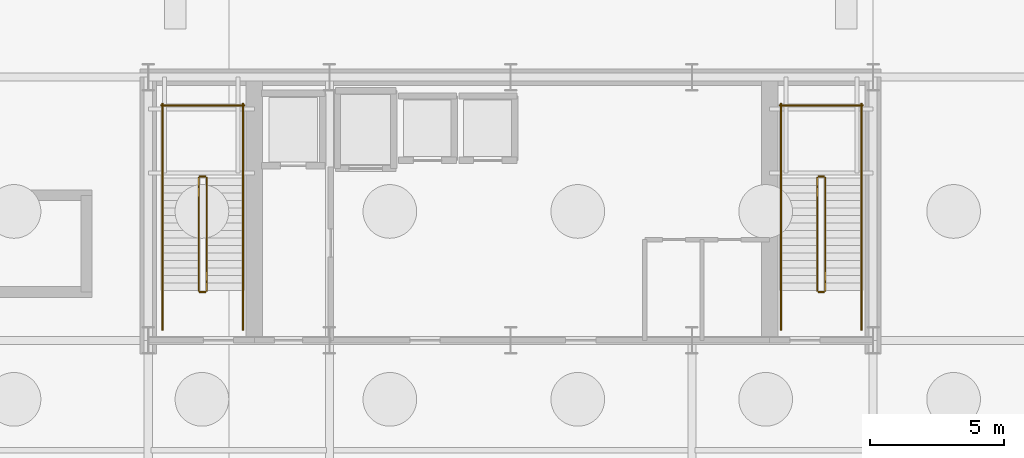
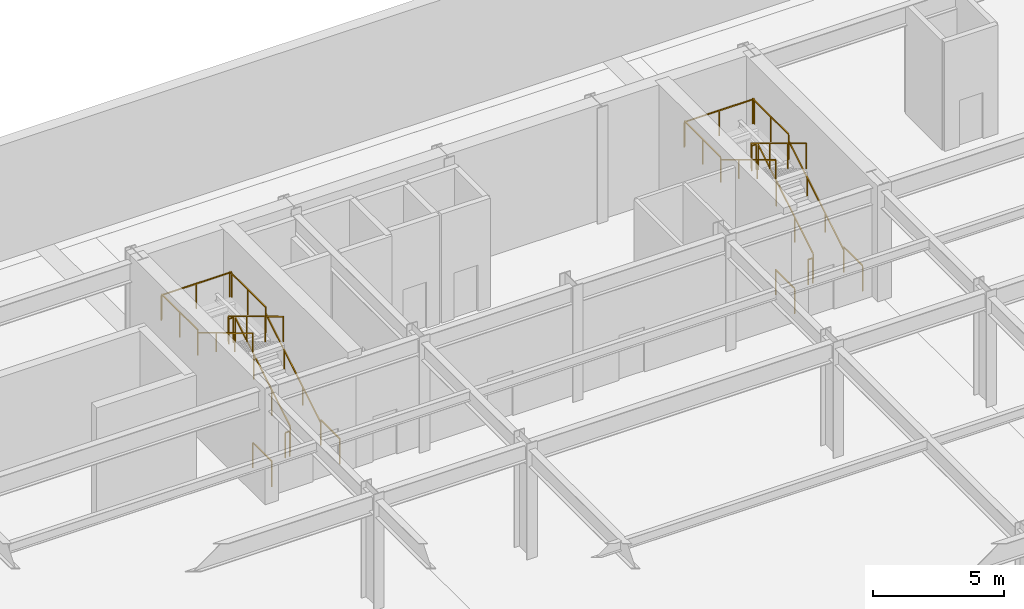
# One storey, part 12 of 15: 22 railings.
"""IFC4 building model written with IfcOpenShell, lengths in metres."""

from ifc_helpers import new_model, si_unit, direction, frame, origin, origin_2d, place, context, subcontext, project, spatial, rectangle, extrude, material, type_object, element, save


model = new_model("IFC4")

# Units and contexts
model_context = context("Model", 3, precision=1e-05, world=origin(), true_north=direction((0.0, 1.0)))
body_context = subcontext(model_context, "Body", "Model", "MODEL_VIEW")
ifc_project = project(units=[si_unit("LENGTHUNIT", "METRE"), si_unit("AREAUNIT", "SQUARE_METRE"), si_unit("VOLUMEUNIT", "CUBIC_METRE"), si_unit("PLANEANGLEUNIT", "RADIAN"), si_unit("MASSUNIT", "GRAM", prefix="KILO")], contexts=[model_context])

# Site, building, storey
site_placement = place(None, origin())
site = spatial("IfcSite", under=ifc_project, at=site_placement, CompositionType="ELEMENT")
building_placement = place(site_placement, origin())
building = spatial("IfcBuilding", under=site, at=building_placement, Name="Haevon Station Towers", CompositionType="ELEMENT")
storey_placement = place(building_placement, frame((0.0, 0.0, -10.800048828125)))
storey = spatial("IfcBuildingStorey", under=building, at=storey_placement, Name="B02", CompositionType="ELEMENT", Elevation=-10.800048828125)

# Railings
ifc_material = material(Name="Steel S355", Category="steel")
railing_type_1 = type_object("IfcRailingType", Name="GRD-STR1200", PredefinedType="GUARDRAIL", material=ifc_material)
railing_1_placement = place(storey_placement, frame((26.179931640625, 40.050048828125, 0.168701171875)))
element("IfcRailing", 1, at=railing_1_placement, inside=storey, type_object=railing_type_1, Name="B02 ST1 Stair Guard 1", PredefinedType="GUARDRAIL", context=body_context, shape_type="SweptSolid", body=[
    extrude(rectangle(XDim=0.048095703125, YDim=0.048095703125, at=origin_2d()), frame((0.0, 0.0, 1.17578125), z_axis=(0.0, 0.856476492594, 0.516186030065), x_axis=(-1.0, 0.0, 0.0)), (0.0, 0.0, 1.0), 4.90380859375),
    extrude(rectangle(XDim=0.0419921875, YDim=0.0419921875, at=origin_2d()), origin(), (0.0, 0.0, 1.0), 1.15185546875),
    extrude(rectangle(XDim=0.0419921875, YDim=0.0419921875, at=origin_2d()), frame((0.0, 1.39990234375, 0.84375)), (0.0, 0.0, 1.0), 1.15185546875),
    extrude(rectangle(XDim=0.0419921875, YDim=0.0419921875, at=origin_2d()), frame((0.0, 2.800048828125, 1.6875)), (0.0, 0.0, 1.0), 1.15185546875),
    extrude(rectangle(XDim=0.0419921875, YDim=0.0419921875, at=origin_2d()), frame((0.0, 4.199951171875, 2.53125)), (0.0, 0.0, 1.0), 1.15185546875),
])
railing_2_placement = place(storey_placement, frame((26.1298828125, 44.300048828125, 2.699951171875)))
element("IfcRailing", 2, at=railing_2_placement, inside=storey, type_object=railing_type_1, Name="B02 ST1 Stair Guard 2", PredefinedType="GUARDRAIL", context=body_context, shape_type="SweptSolid", body=[
    extrude(rectangle(XDim=0.048095703125, YDim=0.048095703125, at=origin_2d()), frame((0.0, 0.0, 1.17578125), z_axis=(-1.0, 0.0, 0.0), x_axis=(0.0, -1.0, 0.0)), (0.0, 0.0, 1.0), 0.199951171875),
    extrude(rectangle(XDim=0.0419921875, YDim=0.0419921875, at=origin_2d()), origin(), (0.0, 0.0, 1.0), 1.15185546875),
    extrude(rectangle(XDim=0.0419921875, YDim=0.0419921875, at=origin_2d()), frame((-0.199951171875, 0.0, 0.0)), (0.0, 0.0, 1.0), 1.15185546875),
])
for number, where, name in (
    (3, (27.530029296875, 44.25, 2.699951171875), "B02 ST1 Stair Guard 3"),
    (4, (24.530029296875, 44.25, 2.699951171875), "B02 ST1 Stair Guard 4"),
):
    element("IfcRailing", number, at=place(storey_placement, frame(where)), inside=storey, type_object=railing_type_1, Name=name, PredefinedType="GUARDRAIL", context=body_context, shape_type="SweptSolid", body=[
        extrude(rectangle(XDim=0.048095703125, YDim=0.048095703125, at=origin_2d()), frame((0.0, 0.0, 1.17578125), z_axis=(0.0, 1.0, 0.0), x_axis=(-1.0, 0.0, 0.0)), (0.0, 0.0, 1.0), 2.75),
        extrude(rectangle(XDim=0.0419921875, YDim=0.0419921875, at=origin_2d()), origin(), (0.0, 0.0, 1.0), 1.15185546875),
        extrude(rectangle(XDim=0.0419921875, YDim=0.0419921875, at=origin_2d()), frame((0.0, 1.375, 0.0)), (0.0, 0.0, 1.0), 1.15185546875),
        extrude(rectangle(XDim=0.0419921875, YDim=0.0419921875, at=origin_2d()), frame((0.0, 2.75, 0.0)), (0.0, 0.0, 1.0), 1.15185546875),
    ])
railing_3_placement = place(storey_placement, frame((27.580078125, 46.949951171875, 2.699951171875)))
element("IfcRailing", 5, at=railing_3_placement, inside=storey, type_object=railing_type_1, Name="B02 ST1 Stair Guard 5", PredefinedType="GUARDRAIL", context=body_context, shape_type="SweptSolid", body=[
    extrude(rectangle(XDim=0.048095703125, YDim=0.048095703125, at=origin_2d()), frame((0.0, 0.0, 1.17578125), z_axis=(-1.0, 0.0, 0.0), x_axis=(0.0, -1.0, 0.0)), (0.0, 0.0, 1.0), 3.10009765625),
    extrude(rectangle(XDim=0.0419921875, YDim=0.0419921875, at=origin_2d()), origin(), (0.0, 0.0, 1.0), 1.15185546875),
    extrude(rectangle(XDim=0.0419921875, YDim=0.0419921875, at=origin_2d()), frame((-1.550048828125, 0.0, 0.0)), (0.0, 0.0, 1.0), 1.15185546875),
    extrude(rectangle(XDim=0.0419921875, YDim=0.0419921875, at=origin_2d()), frame((-3.10009765625, 0.0, 0.0)), (0.0, 0.0, 1.0), 1.15185546875),
])
railing_4_placement = place(storey_placement, frame((25.8798828125, 44.25, 2.868896484375)))
element("IfcRailing", 6, at=railing_4_placement, inside=storey, type_object=railing_type_1, Name="B02 ST1 Stair Guard 6", PredefinedType="GUARDRAIL", context=body_context, shape_type="SweptSolid", body=[
    extrude(rectangle(XDim=0.048095703125, YDim=0.048095703125, at=origin_2d()), frame((0.0, 0.0, 1.17578125), z_axis=(0.0, -0.856476492594, 0.516186030065), x_axis=(1.0, 0.0, 0.0)), (0.0, 0.0, 1.0), 4.90380859375),
    extrude(rectangle(XDim=0.0419921875, YDim=0.0419921875, at=origin_2d()), origin(), (0.0, 0.0, 1.0), 1.15185546875),
    extrude(rectangle(XDim=0.0419921875, YDim=0.0419921875, at=origin_2d()), frame((0.0, -1.39990234375, 0.84375)), (0.0, 0.0, 1.0), 1.15185546875),
    extrude(rectangle(XDim=0.0419921875, YDim=0.0419921875, at=origin_2d()), frame((0.0, -2.800048828125, 1.6875)), (0.0, 0.0, 1.0), 1.15185546875),
    extrude(rectangle(XDim=0.0419921875, YDim=0.0419921875, at=origin_2d()), frame((0.0, -4.199951171875, 2.53125)), (0.0, 0.0, 1.0), 1.15185546875),
])
railing_5_placement = place(storey_placement, frame((26.1298828125, 40.0, 0.0)))
element("IfcRailing", 7, at=railing_5_placement, inside=storey, type_object=railing_type_1, Name="B02 ST1 Stair Guard 7", PredefinedType="GUARDRAIL", context=body_context, shape_type="SweptSolid", body=[
    extrude(rectangle(XDim=0.048095703125, YDim=0.048095703125, at=origin_2d()), frame((0.0, 0.0, 1.17578125), z_axis=(-1.0, 0.0, 0.0), x_axis=(0.0, -1.0, 0.0)), (0.0, 0.0, 1.0), 0.199951171875),
    extrude(rectangle(XDim=0.0419921875, YDim=0.0419921875, at=origin_2d()), origin(), (0.0, 0.0, 1.0), 1.15185546875),
    extrude(rectangle(XDim=0.0419921875, YDim=0.0419921875, at=origin_2d()), frame((-0.199951171875, 0.0, 0.0)), (0.0, 0.0, 1.0), 1.15185546875),
])
for number, where, name in (
    (8, (27.530029296875, 38.60009765625, 0.0), "B02 ST1 Stair Guard 8"),
    (9, (24.530029296875, 38.60009765625, 0.0), "B02 ST1 Stair Guard 9"),
):
    element("IfcRailing", number, at=place(storey_placement, frame(where)), inside=storey, type_object=railing_type_1, Name=name, PredefinedType="GUARDRAIL", context=body_context, shape_type="SweptSolid", body=[
        extrude(rectangle(XDim=0.048095703125, YDim=0.048095703125, at=origin_2d()), frame((0.0, 0.0, 1.17578125), z_axis=(0.0, 1.0, 0.0), x_axis=(-1.0, 0.0, 0.0)), (0.0, 0.0, 1.0), 1.449951171875),
        extrude(rectangle(XDim=0.0419921875, YDim=0.0419921875, at=origin_2d()), origin(), (0.0, 0.0, 1.0), 1.15185546875),
        extrude(rectangle(XDim=0.0419921875, YDim=0.0419921875, at=origin_2d()), frame((0.0, 1.449951171875, 0.0)), (0.0, 0.0, 1.0), 1.15185546875),
    ])
railing_6_placement = place(storey_placement, frame((49.219970703125, 40.050048828125, 0.168701171875)))
element("IfcRailing", 10, at=railing_6_placement, inside=storey, type_object=railing_type_1, Name="B02 ST2 Stair Guard 1", PredefinedType="GUARDRAIL", context=body_context, shape_type="SweptSolid", body=[
    extrude(rectangle(XDim=0.048095703125, YDim=0.048095703125, at=origin_2d()), frame((0.0, 0.0, 1.17578125), z_axis=(0.0, 0.856476492594, 0.516186030065), x_axis=(-1.0, 0.0, 0.0)), (0.0, 0.0, 1.0), 4.90380859375),
    extrude(rectangle(XDim=0.0419921875, YDim=0.0419921875, at=origin_2d()), origin(), (0.0, 0.0, 1.0), 1.15185546875),
    extrude(rectangle(XDim=0.0419921875, YDim=0.0419921875, at=origin_2d()), frame((0.0, 1.39990234375, 0.84375)), (0.0, 0.0, 1.0), 1.15185546875),
    extrude(rectangle(XDim=0.0419921875, YDim=0.0419921875, at=origin_2d()), frame((0.0, 2.800048828125, 1.6875)), (0.0, 0.0, 1.0), 1.15185546875),
    extrude(rectangle(XDim=0.0419921875, YDim=0.0419921875, at=origin_2d()), frame((0.0, 4.199951171875, 2.53125)), (0.0, 0.0, 1.0), 1.15185546875),
])
railing_7_placement = place(storey_placement, frame((49.169921875, 44.300048828125, 2.699951171875)))
element("IfcRailing", 11, at=railing_7_placement, inside=storey, type_object=railing_type_1, Name="B02 ST2 Stair Guard 2", PredefinedType="GUARDRAIL", context=body_context, shape_type="SweptSolid", body=[
    extrude(rectangle(XDim=0.048095703125, YDim=0.048095703125, at=origin_2d()), frame((0.0, 0.0, 1.17578125), z_axis=(-1.0, 0.0, 0.0), x_axis=(0.0, -1.0, 0.0)), (0.0, 0.0, 1.0), 0.199951171875),
    extrude(rectangle(XDim=0.0419921875, YDim=0.0419921875, at=origin_2d()), origin(), (0.0, 0.0, 1.0), 1.15185546875),
    extrude(rectangle(XDim=0.0419921875, YDim=0.0419921875, at=origin_2d()), frame((-0.199951171875, 0.0, 0.0)), (0.0, 0.0, 1.0), 1.15185546875),
])
for number, where, name in (
    (12, (50.570068359375, 44.25, 2.699951171875), "B02 ST2 Stair Guard 3"),
    (13, (47.570068359375, 44.25, 2.699951171875), "B02 ST2 Stair Guard 4"),
):
    element("IfcRailing", number, at=place(storey_placement, frame(where)), inside=storey, type_object=railing_type_1, Name=name, PredefinedType="GUARDRAIL", context=body_context, shape_type="SweptSolid", body=[
        extrude(rectangle(XDim=0.048095703125, YDim=0.048095703125, at=origin_2d()), frame((0.0, 0.0, 1.17578125), z_axis=(0.0, 1.0, 0.0), x_axis=(-1.0, 0.0, 0.0)), (0.0, 0.0, 1.0), 2.75),
        extrude(rectangle(XDim=0.0419921875, YDim=0.0419921875, at=origin_2d()), origin(), (0.0, 0.0, 1.0), 1.15185546875),
        extrude(rectangle(XDim=0.0419921875, YDim=0.0419921875, at=origin_2d()), frame((0.0, 1.375, 0.0)), (0.0, 0.0, 1.0), 1.15185546875),
        extrude(rectangle(XDim=0.0419921875, YDim=0.0419921875, at=origin_2d()), frame((0.0, 2.75, 0.0)), (0.0, 0.0, 1.0), 1.15185546875),
    ])
railing_8_placement = place(storey_placement, frame((50.6201171875, 46.949951171875, 2.699951171875)))
element("IfcRailing", 14, at=railing_8_placement, inside=storey, type_object=railing_type_1, Name="B02 ST2 Stair Guard 5", PredefinedType="GUARDRAIL", context=body_context, shape_type="SweptSolid", body=[
    extrude(rectangle(XDim=0.048095703125, YDim=0.048095703125, at=origin_2d()), frame((0.0, 0.0, 1.17578125), z_axis=(-1.0, 0.0, 0.0), x_axis=(0.0, -1.0, 0.0)), (0.0, 0.0, 1.0), 3.10009765625),
    extrude(rectangle(XDim=0.0419921875, YDim=0.0419921875, at=origin_2d()), origin(), (0.0, 0.0, 1.0), 1.15185546875),
    extrude(rectangle(XDim=0.0419921875, YDim=0.0419921875, at=origin_2d()), frame((-1.550048828125, 0.0, 0.0)), (0.0, 0.0, 1.0), 1.15185546875),
    extrude(rectangle(XDim=0.0419921875, YDim=0.0419921875, at=origin_2d()), frame((-3.10009765625, 0.0, 0.0)), (0.0, 0.0, 1.0), 1.15185546875),
])
railing_9_placement = place(storey_placement, frame((48.919921875, 44.25, 2.868896484375)))
element("IfcRailing", 15, at=railing_9_placement, inside=storey, type_object=railing_type_1, Name="B02 ST2 Stair Guard 6", PredefinedType="GUARDRAIL", context=body_context, shape_type="SweptSolid", body=[
    extrude(rectangle(XDim=0.048095703125, YDim=0.048095703125, at=origin_2d()), frame((0.0, 0.0, 1.17578125), z_axis=(0.0, -0.856476492594, 0.516186030065), x_axis=(1.0, 0.0, 0.0)), (0.0, 0.0, 1.0), 4.90380859375),
    extrude(rectangle(XDim=0.0419921875, YDim=0.0419921875, at=origin_2d()), origin(), (0.0, 0.0, 1.0), 1.15185546875),
    extrude(rectangle(XDim=0.0419921875, YDim=0.0419921875, at=origin_2d()), frame((0.0, -1.39990234375, 0.84375)), (0.0, 0.0, 1.0), 1.15185546875),
    extrude(rectangle(XDim=0.0419921875, YDim=0.0419921875, at=origin_2d()), frame((0.0, -2.800048828125, 1.6875)), (0.0, 0.0, 1.0), 1.15185546875),
    extrude(rectangle(XDim=0.0419921875, YDim=0.0419921875, at=origin_2d()), frame((0.0, -4.199951171875, 2.53125)), (0.0, 0.0, 1.0), 1.15185546875),
])
railing_10_placement = place(storey_placement, frame((49.169921875, 40.0, 0.0)))
element("IfcRailing", 16, at=railing_10_placement, inside=storey, type_object=railing_type_1, Name="B02 ST2 Stair Guard 7", PredefinedType="GUARDRAIL", context=body_context, shape_type="SweptSolid", body=[
    extrude(rectangle(XDim=0.048095703125, YDim=0.048095703125, at=origin_2d()), frame((0.0, 0.0, 1.17578125), z_axis=(-1.0, 0.0, 0.0), x_axis=(0.0, -1.0, 0.0)), (0.0, 0.0, 1.0), 0.199951171875),
    extrude(rectangle(XDim=0.0419921875, YDim=0.0419921875, at=origin_2d()), origin(), (0.0, 0.0, 1.0), 1.15185546875),
    extrude(rectangle(XDim=0.0419921875, YDim=0.0419921875, at=origin_2d()), frame((-0.199951171875, 0.0, 0.0)), (0.0, 0.0, 1.0), 1.15185546875),
])
for number, where, name in (
    (17, (50.570068359375, 38.60009765625, 0.0), "B02 ST2 Stair Guard 8"),
    (18, (47.570068359375, 38.60009765625, 0.0), "B02 ST2 Stair Guard 9"),
):
    element("IfcRailing", number, at=place(storey_placement, frame(where)), inside=storey, type_object=railing_type_1, Name=name, PredefinedType="GUARDRAIL", context=body_context, shape_type="SweptSolid", body=[
        extrude(rectangle(XDim=0.048095703125, YDim=0.048095703125, at=origin_2d()), frame((0.0, 0.0, 1.17578125), z_axis=(0.0, 1.0, 0.0), x_axis=(-1.0, 0.0, 0.0)), (0.0, 0.0, 1.0), 1.449951171875),
        extrude(rectangle(XDim=0.0419921875, YDim=0.0419921875, at=origin_2d()), origin(), (0.0, 0.0, 1.0), 1.15185546875),
        extrude(rectangle(XDim=0.0419921875, YDim=0.0419921875, at=origin_2d()), frame((0.0, 1.449951171875, 0.0)), (0.0, 0.0, 1.0), 1.15185546875),
    ])
railing_type_2 = type_object("IfcRailingType", Name="HND-STR900", PredefinedType="HANDRAIL", material=ifc_material)
railing_11_placement = place(storey_placement, frame((27.530029296875, 40.050048828125, 0.168701171875)))
element("IfcRailing", 19, at=railing_11_placement, inside=storey, type_object=railing_type_2, Name="B02 ST1 Stair Handrail 1", PredefinedType="HANDRAIL", context=body_context, shape_type="SweptSolid", body=[
    extrude(rectangle(XDim=0.048095703125, YDim=0.048095703125, at=origin_2d()), frame((0.0, 0.0, 0.8759765625), z_axis=(0.0, 0.856476492594, 0.516186030065), x_axis=(-1.0, 0.0, 0.0)), (0.0, 0.0, 1.0), 4.90380859375),
    extrude(rectangle(XDim=0.0419921875, YDim=0.0419921875, at=origin_2d()), origin(), (0.0, 0.0, 1.0), 0.851806640625),
    extrude(rectangle(XDim=0.0419921875, YDim=0.0419921875, at=origin_2d()), frame((0.0, 1.39990234375, 0.84375)), (0.0, 0.0, 1.0), 0.851806640625),
    extrude(rectangle(XDim=0.0419921875, YDim=0.0419921875, at=origin_2d()), frame((0.0, 2.800048828125, 1.6875)), (0.0, 0.0, 1.0), 0.851806640625),
    extrude(rectangle(XDim=0.0419921875, YDim=0.0419921875, at=origin_2d()), frame((0.0, 4.199951171875, 2.53125)), (0.0, 0.0, 1.0), 0.851806640625),
])
railing_12_placement = place(storey_placement, frame((24.530029296875, 44.25, 2.868896484375)))
element("IfcRailing", 20, at=railing_12_placement, inside=storey, type_object=railing_type_2, Name="B02 ST1 Stair Handrail 2", PredefinedType="HANDRAIL", context=body_context, shape_type="SweptSolid", body=[
    extrude(rectangle(XDim=0.048095703125, YDim=0.048095703125, at=origin_2d()), frame((0.0, 0.0, 0.8759765625), z_axis=(0.0, -0.856476492594, 0.516186030065), x_axis=(1.0, 0.0, 0.0)), (0.0, 0.0, 1.0), 4.90380859375),
    extrude(rectangle(XDim=0.0419921875, YDim=0.0419921875, at=origin_2d()), origin(), (0.0, 0.0, 1.0), 0.851806640625),
    extrude(rectangle(XDim=0.0419921875, YDim=0.0419921875, at=origin_2d()), frame((0.0, -1.39990234375, 0.84375)), (0.0, 0.0, 1.0), 0.851806640625),
    extrude(rectangle(XDim=0.0419921875, YDim=0.0419921875, at=origin_2d()), frame((0.0, -2.800048828125, 1.6875)), (0.0, 0.0, 1.0), 0.851806640625),
    extrude(rectangle(XDim=0.0419921875, YDim=0.0419921875, at=origin_2d()), frame((0.0, -4.199951171875, 2.53125)), (0.0, 0.0, 1.0), 0.851806640625),
])
railing_13_placement = place(storey_placement, frame((50.570068359375, 40.050048828125, 0.168701171875)))
element("IfcRailing", 21, at=railing_13_placement, inside=storey, type_object=railing_type_2, Name="B02 ST2 Stair Handrail 1", PredefinedType="HANDRAIL", context=body_context, shape_type="SweptSolid", body=[
    extrude(rectangle(XDim=0.048095703125, YDim=0.048095703125, at=origin_2d()), frame((0.0, 0.0, 0.8759765625), z_axis=(0.0, 0.856476492594, 0.516186030065), x_axis=(-1.0, 0.0, 0.0)), (0.0, 0.0, 1.0), 4.90380859375),
    extrude(rectangle(XDim=0.0419921875, YDim=0.0419921875, at=origin_2d()), origin(), (0.0, 0.0, 1.0), 0.851806640625),
    extrude(rectangle(XDim=0.0419921875, YDim=0.0419921875, at=origin_2d()), frame((0.0, 1.39990234375, 0.84375)), (0.0, 0.0, 1.0), 0.851806640625),
    extrude(rectangle(XDim=0.0419921875, YDim=0.0419921875, at=origin_2d()), frame((0.0, 2.800048828125, 1.6875)), (0.0, 0.0, 1.0), 0.851806640625),
    extrude(rectangle(XDim=0.0419921875, YDim=0.0419921875, at=origin_2d()), frame((0.0, 4.199951171875, 2.53125)), (0.0, 0.0, 1.0), 0.851806640625),
])
railing_14_placement = place(storey_placement, frame((47.570068359375, 44.25, 2.868896484375)))
element("IfcRailing", 22, at=railing_14_placement, inside=storey, type_object=railing_type_2, Name="B02 ST2 Stair Handrail 2", PredefinedType="HANDRAIL", context=body_context, shape_type="SweptSolid", body=[
    extrude(rectangle(XDim=0.048095703125, YDim=0.048095703125, at=origin_2d()), frame((0.0, 0.0, 0.8759765625), z_axis=(0.0, -0.856476492594, 0.516186030065), x_axis=(1.0, 0.0, 0.0)), (0.0, 0.0, 1.0), 4.90380859375),
    extrude(rectangle(XDim=0.0419921875, YDim=0.0419921875, at=origin_2d()), origin(), (0.0, 0.0, 1.0), 0.851806640625),
    extrude(rectangle(XDim=0.0419921875, YDim=0.0419921875, at=origin_2d()), frame((0.0, -1.39990234375, 0.84375)), (0.0, 0.0, 1.0), 0.851806640625),
    extrude(rectangle(XDim=0.0419921875, YDim=0.0419921875, at=origin_2d()), frame((0.0, -2.800048828125, 1.6875)), (0.0, 0.0, 1.0), 0.851806640625),
    extrude(rectangle(XDim=0.0419921875, YDim=0.0419921875, at=origin_2d()), frame((0.0, -4.199951171875, 2.53125)), (0.0, 0.0, 1.0), 0.851806640625),
])

save(model, "model.ifc")
